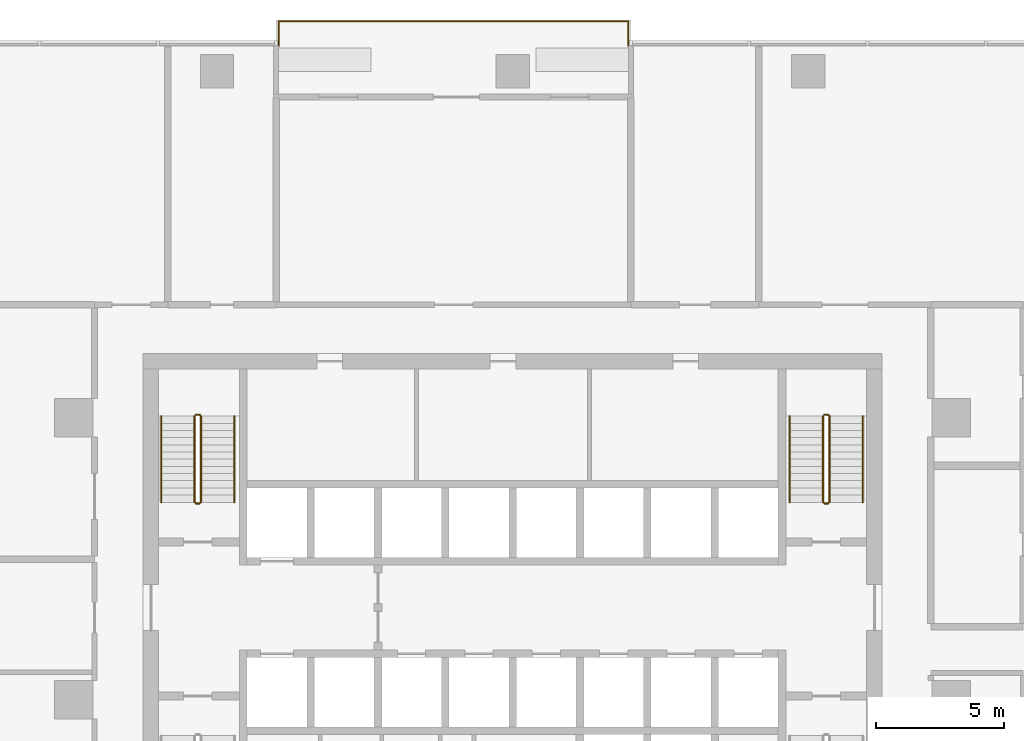
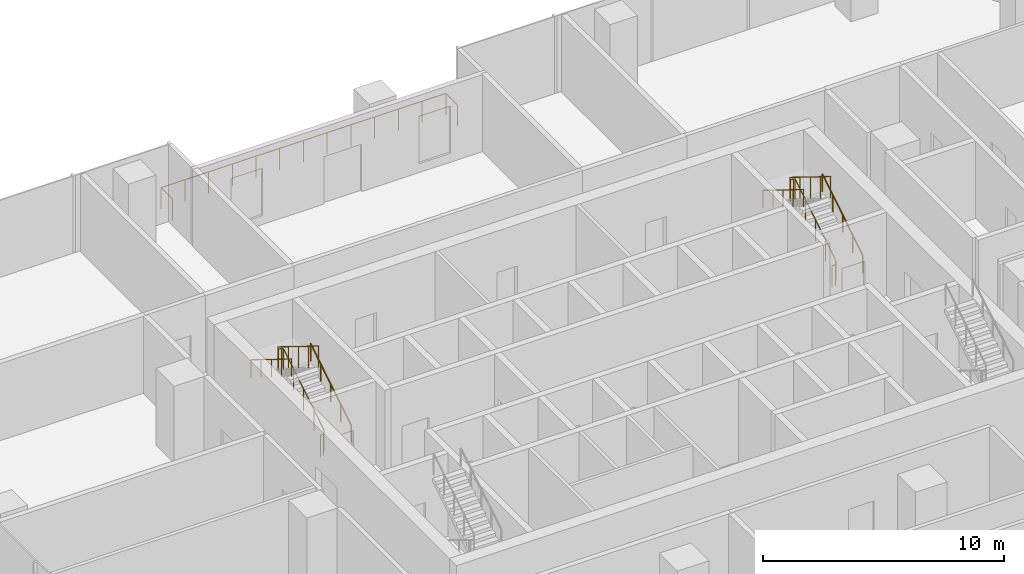
# One storey, part 14 of 14: 11 railings.
"""IFC4 building model written with IfcOpenShell, lengths in metres."""

from ifc_helpers import new_model, si_unit, direction, frame, origin, origin_2d, place, context, subcontext, project, spatial, circle, extrude, material, type_object, element, save


model = new_model("IFC4")

# Units and contexts
model_context = context("Model", 3, precision=1e-05, world=origin(), true_north=direction((0.0, 1.0)))
body_context = subcontext(model_context, "Body", "Model", "MODEL_VIEW")
ifc_project = project(units=[si_unit("LENGTHUNIT", "METRE"), si_unit("AREAUNIT", "SQUARE_METRE"), si_unit("VOLUMEUNIT", "CUBIC_METRE"), si_unit("PLANEANGLEUNIT", "RADIAN"), si_unit("MASSUNIT", "GRAM", prefix="KILO")], contexts=[model_context])

# Site, building, storey
site_placement = place(None, origin())
site = spatial("IfcSite", under=ifc_project, at=site_placement, CompositionType="ELEMENT")
building_placement = place(site_placement, origin())
building = spatial("IfcBuilding", under=site, at=building_placement, Name="Mopane Tessera Tower", CompositionType="ELEMENT")
storey_placement = place(building_placement, frame((0.0, 0.0, 144.10009765625)))
storey = spatial("IfcBuildingStorey", under=building, at=storey_placement, Name="L29", CompositionType="ELEMENT", Elevation=144.10009765625)

# Railings
ifc_material_1 = material(Name="Powder-coated steel balustrade", Category="steel")
railing_type_1 = type_object("IfcRailingType", Name="Escape stair guard 1100 mm", PredefinedType="GUARDRAIL", material=ifc_material_1)
railing_1_placement = place(storey_placement, frame((-12.14990234375, 7.699951171875, 0.173095703125)))
element("IfcRailing", 1, at=railing_1_placement, inside=storey, type_object=railing_type_1, Name="L29 ST2 stair guard 1", PredefinedType="GUARDRAIL", context=body_context, shape_type="SweptSolid", body=[
    extrude(circle(Radius=0.02392578125, at=origin_2d()), frame((0.0, 0.0, 1.076171875), z_axis=(0.0, 0.850623216509, 0.525775754039), x_axis=(-1.0, 0.0, 0.0)), (0.0, 0.0, 1.0), 3.9501953125),
    extrude(circle(Radius=0.02392578125, at=origin_2d()), frame((0.0, 3.360107421875, 3.15283203125), z_axis=(-0.707106781187, 0.707106781187, 0.0), x_axis=(-0.707106781187, -0.707106781187, 0.0)), (0.0, 0.0, 1.0), 0.07080078125),
    extrude(circle(Radius=0.02392578125, at=origin_2d()), frame((-0.050048828125, 3.41015625, 3.15283203125), z_axis=(-1.0, 0.0, 0.0), x_axis=(0.0, -1.0, 0.0)), (0.0, 0.0, 1.0), 0.150146484375),
    extrude(circle(Radius=0.02099609375, at=origin_2d()), origin(), (0.0, 0.0, 1.0), 1.052001953125),
    extrude(circle(Radius=0.02099609375, at=origin_2d()), frame((0.0, 0.840087890625, 0.519287109375)), (0.0, 0.0, 1.0), 1.052001953125),
    extrude(circle(Radius=0.02099609375, at=origin_2d()), frame((0.0, 1.68017578125, 1.03857421875)), (0.0, 0.0, 1.0), 1.052001953125),
    extrude(circle(Radius=0.02099609375, at=origin_2d()), frame((0.0, 2.52001953125, 1.5576171875)), (0.0, 0.0, 1.0), 1.052001953125),
    extrude(circle(Radius=0.02099609375, at=origin_2d()), frame((0.0, 3.360107421875, 2.076904296875)), (0.0, 0.0, 1.0), 1.052001953125),
    extrude(circle(Radius=0.02099609375, at=origin_2d()), frame((-0.050048828125, 3.41015625, 2.076904296875)), (0.0, 0.0, 1.0), 1.052001953125),
    extrude(circle(Radius=0.02099609375, at=origin_2d()), frame((-0.2001953125, 3.41015625, 2.076904296875)), (0.0, 0.0, 1.0), 1.052001953125),
])
railing_2_placement = place(storey_placement, frame((-12.39990234375, 11.06005859375, 2.423095703125)))
element("IfcRailing", 2, at=railing_2_placement, inside=storey, type_object=railing_type_1, Name="L29 ST2 stair guard 2", PredefinedType="GUARDRAIL", context=body_context, shape_type="SweptSolid", body=[
    extrude(circle(Radius=0.02392578125, at=origin_2d()), frame((0.0, 0.0, 1.076171875), z_axis=(0.0, -0.850623216509, 0.525775754039), x_axis=(1.0, 0.0, 0.0)), (0.0, 0.0, 1.0), 3.9501953125),
    extrude(circle(Radius=0.02099609375, at=origin_2d()), origin(), (0.0, 0.0, 1.0), 1.052001953125),
    extrude(circle(Radius=0.02099609375, at=origin_2d()), frame((0.0, -0.840087890625, 0.519287109375)), (0.0, 0.0, 1.0), 1.052001953125),
    extrude(circle(Radius=0.02099609375, at=origin_2d()), frame((0.0, -1.68017578125, 1.03857421875)), (0.0, 0.0, 1.0), 1.052001953125),
    extrude(circle(Radius=0.02099609375, at=origin_2d()), frame((0.0, -2.52001953125, 1.5576171875)), (0.0, 0.0, 1.0), 1.052001953125),
    extrude(circle(Radius=0.02099609375, at=origin_2d()), frame((0.0, -3.360107421875, 2.076904296875)), (0.0, 0.0, 1.0), 1.052001953125),
])
railing_3_placement = place(storey_placement, frame((-12.199951171875, 7.64990234375, 0.0)))
element("IfcRailing", 3, at=railing_3_placement, inside=storey, type_object=railing_type_1, Name="L29 ST2 stair guard 3", PredefinedType="GUARDRAIL", context=body_context, shape_type="SweptSolid", body=[
    extrude(circle(Radius=0.02392578125, at=origin_2d()), frame((0.0, 0.0, 1.076171875), z_axis=(-1.0, 0.0, 0.0), x_axis=(0.0, -1.0, 0.0)), (0.0, 0.0, 1.0), 0.150146484375),
    extrude(circle(Radius=0.02099609375, at=origin_2d()), origin(), (0.0, 0.0, 1.0), 1.052001953125),
    extrude(circle(Radius=0.02099609375, at=origin_2d()), frame((-0.150146484375, 0.0, 0.0)), (0.0, 0.0, 1.0), 1.052001953125),
])
railing_4_placement = place(storey_placement, frame((12.35009765625, 7.699951171875, 0.173095703125)))
element("IfcRailing", 4, at=railing_4_placement, inside=storey, type_object=railing_type_1, Name="L29 ST4 stair guard 1", PredefinedType="GUARDRAIL", context=body_context, shape_type="SweptSolid", body=[
    extrude(circle(Radius=0.02392578125, at=origin_2d()), frame((0.0, 0.0, 1.076171875), z_axis=(0.0, 0.850623216509, 0.525775754039), x_axis=(-1.0, 0.0, 0.0)), (0.0, 0.0, 1.0), 3.9501953125),
    extrude(circle(Radius=0.02392578125, at=origin_2d()), frame((0.0, 3.360107421875, 3.15283203125), z_axis=(-0.707106781187, 0.707106781187, 0.0), x_axis=(-0.707106781187, -0.707106781187, 0.0)), (0.0, 0.0, 1.0), 0.07080078125),
    extrude(circle(Radius=0.02392578125, at=origin_2d()), frame((-0.050048828125, 3.41015625, 3.15283203125), z_axis=(-1.0, 0.0, 0.0), x_axis=(0.0, -1.0, 0.0)), (0.0, 0.0, 1.0), 0.150146484375),
    extrude(circle(Radius=0.02099609375, at=origin_2d()), origin(), (0.0, 0.0, 1.0), 1.052001953125),
    extrude(circle(Radius=0.02099609375, at=origin_2d()), frame((0.0, 0.840087890625, 0.519287109375)), (0.0, 0.0, 1.0), 1.052001953125),
    extrude(circle(Radius=0.02099609375, at=origin_2d()), frame((0.0, 1.68017578125, 1.03857421875)), (0.0, 0.0, 1.0), 1.052001953125),
    extrude(circle(Radius=0.02099609375, at=origin_2d()), frame((0.0, 2.52001953125, 1.5576171875)), (0.0, 0.0, 1.0), 1.052001953125),
    extrude(circle(Radius=0.02099609375, at=origin_2d()), frame((0.0, 3.360107421875, 2.076904296875)), (0.0, 0.0, 1.0), 1.052001953125),
    extrude(circle(Radius=0.02099609375, at=origin_2d()), frame((-0.050048828125, 3.41015625, 2.076904296875)), (0.0, 0.0, 1.0), 1.052001953125),
    extrude(circle(Radius=0.02099609375, at=origin_2d()), frame((-0.2001953125, 3.41015625, 2.076904296875)), (0.0, 0.0, 1.0), 1.052001953125),
])
railing_5_placement = place(storey_placement, frame((12.10009765625, 11.06005859375, 2.423095703125)))
element("IfcRailing", 5, at=railing_5_placement, inside=storey, type_object=railing_type_1, Name="L29 ST4 stair guard 2", PredefinedType="GUARDRAIL", context=body_context, shape_type="SweptSolid", body=[
    extrude(circle(Radius=0.02392578125, at=origin_2d()), frame((0.0, 0.0, 1.076171875), z_axis=(0.0, -0.850623216509, 0.525775754039), x_axis=(1.0, 0.0, 0.0)), (0.0, 0.0, 1.0), 3.9501953125),
    extrude(circle(Radius=0.02099609375, at=origin_2d()), origin(), (0.0, 0.0, 1.0), 1.052001953125),
    extrude(circle(Radius=0.02099609375, at=origin_2d()), frame((0.0, -0.840087890625, 0.519287109375)), (0.0, 0.0, 1.0), 1.052001953125),
    extrude(circle(Radius=0.02099609375, at=origin_2d()), frame((0.0, -1.68017578125, 1.03857421875)), (0.0, 0.0, 1.0), 1.052001953125),
    extrude(circle(Radius=0.02099609375, at=origin_2d()), frame((0.0, -2.52001953125, 1.5576171875)), (0.0, 0.0, 1.0), 1.052001953125),
    extrude(circle(Radius=0.02099609375, at=origin_2d()), frame((0.0, -3.360107421875, 2.076904296875)), (0.0, 0.0, 1.0), 1.052001953125),
])
railing_6_placement = place(storey_placement, frame((12.300048828125, 7.64990234375, 0.0)))
element("IfcRailing", 6, at=railing_6_placement, inside=storey, type_object=railing_type_1, Name="L29 ST4 stair guard 3", PredefinedType="GUARDRAIL", context=body_context, shape_type="SweptSolid", body=[
    extrude(circle(Radius=0.02392578125, at=origin_2d()), frame((0.0, 0.0, 1.076171875), z_axis=(-1.0, 0.0, 0.0), x_axis=(0.0, -1.0, 0.0)), (0.0, 0.0, 1.0), 0.150146484375),
    extrude(circle(Radius=0.02099609375, at=origin_2d()), origin(), (0.0, 0.0, 1.0), 1.052001953125),
    extrude(circle(Radius=0.02099609375, at=origin_2d()), frame((-0.150146484375, 0.0, 0.0)), (0.0, 0.0, 1.0), 1.052001953125),
])
ifc_material_2 = material(Name="Powder-coated steel balustrade", Category="steel")
railing_type_2 = type_object("IfcRailingType", Name="Escape stair handrail 900 mm", PredefinedType="HANDRAIL", material=ifc_material_2)
railing_7_placement = place(storey_placement, frame((-10.85009765625, 7.699951171875, 0.173095703125)))
element("IfcRailing", 7, at=railing_7_placement, inside=storey, type_object=railing_type_2, Name="L29 ST2 stair handrail 1", PredefinedType="HANDRAIL", context=body_context, shape_type="SweptSolid", body=[
    extrude(circle(Radius=0.02392578125, at=origin_2d()), frame((0.0, 0.0, 0.8759765625), z_axis=(0.0, 0.850623216509, 0.525775754039), x_axis=(-1.0, 0.0, 0.0)), (0.0, 0.0, 1.0), 3.9501953125),
    extrude(circle(Radius=0.02099609375, at=origin_2d()), origin(), (0.0, 0.0, 1.0), 0.851806640625),
    extrude(circle(Radius=0.02099609375, at=origin_2d()), frame((0.0, 0.840087890625, 0.519287109375)), (0.0, 0.0, 1.0), 0.851806640625),
    extrude(circle(Radius=0.02099609375, at=origin_2d()), frame((0.0, 1.68017578125, 1.03857421875)), (0.0, 0.0, 1.0), 0.851806640625),
    extrude(circle(Radius=0.02099609375, at=origin_2d()), frame((0.0, 2.52001953125, 1.5576171875)), (0.0, 0.0, 1.0), 0.851806640625),
    extrude(circle(Radius=0.02099609375, at=origin_2d()), frame((0.0, 3.360107421875, 2.076904296875)), (0.0, 0.0, 1.0), 0.851806640625),
])
railing_8_placement = place(storey_placement, frame((-13.699951171875, 11.06005859375, 2.423095703125)))
element("IfcRailing", 8, at=railing_8_placement, inside=storey, type_object=railing_type_2, Name="L29 ST2 stair handrail 2", PredefinedType="HANDRAIL", context=body_context, shape_type="SweptSolid", body=[
    extrude(circle(Radius=0.02392578125, at=origin_2d()), frame((0.0, 0.0, 0.8759765625), z_axis=(0.0, -0.850623216509, 0.525775754039), x_axis=(1.0, 0.0, 0.0)), (0.0, 0.0, 1.0), 3.9501953125),
    extrude(circle(Radius=0.02099609375, at=origin_2d()), origin(), (0.0, 0.0, 1.0), 0.851806640625),
    extrude(circle(Radius=0.02099609375, at=origin_2d()), frame((0.0, -0.840087890625, 0.519287109375)), (0.0, 0.0, 1.0), 0.851806640625),
    extrude(circle(Radius=0.02099609375, at=origin_2d()), frame((0.0, -1.68017578125, 1.03857421875)), (0.0, 0.0, 1.0), 0.851806640625),
    extrude(circle(Radius=0.02099609375, at=origin_2d()), frame((0.0, -2.52001953125, 1.5576171875)), (0.0, 0.0, 1.0), 0.851806640625),
    extrude(circle(Radius=0.02099609375, at=origin_2d()), frame((0.0, -3.360107421875, 2.076904296875)), (0.0, 0.0, 1.0), 0.851806640625),
])
railing_9_placement = place(storey_placement, frame((13.64990234375, 7.699951171875, 0.173095703125)))
element("IfcRailing", 9, at=railing_9_placement, inside=storey, type_object=railing_type_2, Name="L29 ST4 stair handrail 1", PredefinedType="HANDRAIL", context=body_context, shape_type="SweptSolid", body=[
    extrude(circle(Radius=0.02392578125, at=origin_2d()), frame((0.0, 0.0, 0.8759765625), z_axis=(0.0, 0.850623216509, 0.525775754039), x_axis=(-1.0, 0.0, 0.0)), (0.0, 0.0, 1.0), 3.9501953125),
    extrude(circle(Radius=0.02099609375, at=origin_2d()), origin(), (0.0, 0.0, 1.0), 0.851806640625),
    extrude(circle(Radius=0.02099609375, at=origin_2d()), frame((0.0, 0.840087890625, 0.519287109375)), (0.0, 0.0, 1.0), 0.851806640625),
    extrude(circle(Radius=0.02099609375, at=origin_2d()), frame((0.0, 1.68017578125, 1.03857421875)), (0.0, 0.0, 1.0), 0.851806640625),
    extrude(circle(Radius=0.02099609375, at=origin_2d()), frame((0.0, 2.52001953125, 1.5576171875)), (0.0, 0.0, 1.0), 0.851806640625),
    extrude(circle(Radius=0.02099609375, at=origin_2d()), frame((0.0, 3.360107421875, 2.076904296875)), (0.0, 0.0, 1.0), 0.851806640625),
])
railing_10_placement = place(storey_placement, frame((10.800048828125, 11.06005859375, 2.423095703125)))
element("IfcRailing", 10, at=railing_10_placement, inside=storey, type_object=railing_type_2, Name="L29 ST4 stair handrail 2", PredefinedType="HANDRAIL", context=body_context, shape_type="SweptSolid", body=[
    extrude(circle(Radius=0.02392578125, at=origin_2d()), frame((0.0, 0.0, 0.8759765625), z_axis=(0.0, -0.850623216509, 0.525775754039), x_axis=(1.0, 0.0, 0.0)), (0.0, 0.0, 1.0), 3.9501953125),
    extrude(circle(Radius=0.02099609375, at=origin_2d()), origin(), (0.0, 0.0, 1.0), 0.851806640625),
    extrude(circle(Radius=0.02099609375, at=origin_2d()), frame((0.0, -0.840087890625, 0.519287109375)), (0.0, 0.0, 1.0), 0.851806640625),
    extrude(circle(Radius=0.02099609375, at=origin_2d()), frame((0.0, -1.68017578125, 1.03857421875)), (0.0, 0.0, 1.0), 0.851806640625),
    extrude(circle(Radius=0.02099609375, at=origin_2d()), frame((0.0, -2.52001953125, 1.5576171875)), (0.0, 0.0, 1.0), 0.851806640625),
    extrude(circle(Radius=0.02099609375, at=origin_2d()), frame((0.0, -3.360107421875, 2.076904296875)), (0.0, 0.0, 1.0), 0.851806640625),
])
ifc_material_3 = material(Name="Stainless steel S316", Category="steel")
railing_type_3 = type_object("IfcRailingType", Name="Terrace guard 1100", PredefinedType="GUARDRAIL", material=ifc_material_3)
railing_11_placement = place(storey_placement, frame((4.510009765625, 25.5, 0.0)))
element("IfcRailing", 11, at=railing_11_placement, inside=storey, type_object=railing_type_3, Name="e:nw:L29:N1:guard", PredefinedType="GUARDRAIL", context=body_context, shape_type="SweptSolid", body=[
    extrude(circle(Radius=0.02392578125, at=origin_2d()), frame((0.0, 0.0, 1.076171875), z_axis=(0.0, 1.0, 0.0), x_axis=(-1.0, 0.0, 0.0)), (0.0, 0.0, 1.0), 0.949951171875),
    extrude(circle(Radius=0.02392578125, at=origin_2d()), frame((0.0, 0.949951171875, 1.076171875), z_axis=(-1.0, 0.0, 0.0), x_axis=(0.0, -1.0, 0.0)), (0.0, 0.0, 1.0), 13.630126953125),
    extrude(circle(Radius=0.02392578125, at=origin_2d()), frame((-13.630126953125, 0.949951171875, 1.076171875), z_axis=(0.0, -1.0, 0.0), x_axis=(1.0, 0.0, 0.0)), (0.0, 0.0, 1.0), 0.949951171875),
    extrude(circle(Radius=0.02099609375, at=origin_2d()), origin(), (0.0, 0.0, 1.0), 1.052001953125),
    extrude(circle(Radius=0.02099609375, at=origin_2d()), frame((0.0, 0.949951171875, 0.0)), (0.0, 0.0, 1.0), 1.052001953125),
    extrude(circle(Radius=0.02099609375, at=origin_2d()), frame((-1.1357421875, 0.949951171875, 0.0)), (0.0, 0.0, 1.0), 1.052001953125),
    extrude(circle(Radius=0.02099609375, at=origin_2d()), frame((-2.271728515625, 0.949951171875, 0.0)), (0.0, 0.0, 1.0), 1.052001953125),
    extrude(circle(Radius=0.02099609375, at=origin_2d()), frame((-3.407470703125, 0.949951171875, 0.0)), (0.0, 0.0, 1.0), 1.052001953125),
    extrude(circle(Radius=0.02099609375, at=origin_2d()), frame((-4.54345703125, 0.949951171875, 0.0)), (0.0, 0.0, 1.0), 1.052001953125),
    extrude(circle(Radius=0.02099609375, at=origin_2d()), frame((-5.67919921875, 0.949951171875, 0.0)), (0.0, 0.0, 1.0), 1.052001953125),
    extrude(circle(Radius=0.02099609375, at=origin_2d()), frame((-6.81494140625, 0.949951171875, 0.0)), (0.0, 0.0, 1.0), 1.052001953125),
    extrude(circle(Radius=0.02099609375, at=origin_2d()), frame((-7.950927734375, 0.949951171875, 0.0)), (0.0, 0.0, 1.0), 1.052001953125),
    extrude(circle(Radius=0.02099609375, at=origin_2d()), frame((-9.086669921875, 0.949951171875, 0.0)), (0.0, 0.0, 1.0), 1.052001953125),
    extrude(circle(Radius=0.02099609375, at=origin_2d()), frame((-10.22265625, 0.949951171875, 0.0)), (0.0, 0.0, 1.0), 1.052001953125),
    extrude(circle(Radius=0.02099609375, at=origin_2d()), frame((-11.3583984375, 0.949951171875, 0.0)), (0.0, 0.0, 1.0), 1.052001953125),
    extrude(circle(Radius=0.02099609375, at=origin_2d()), frame((-12.494384765625, 0.949951171875, 0.0)), (0.0, 0.0, 1.0), 1.052001953125),
    extrude(circle(Radius=0.02099609375, at=origin_2d()), frame((-13.630126953125, 0.949951171875, 0.0)), (0.0, 0.0, 1.0), 1.052001953125),
    extrude(circle(Radius=0.02099609375, at=origin_2d()), frame((-13.630126953125, 0.0, 0.0)), (0.0, 0.0, 1.0), 1.052001953125),
])

save(model, "model.ifc")
